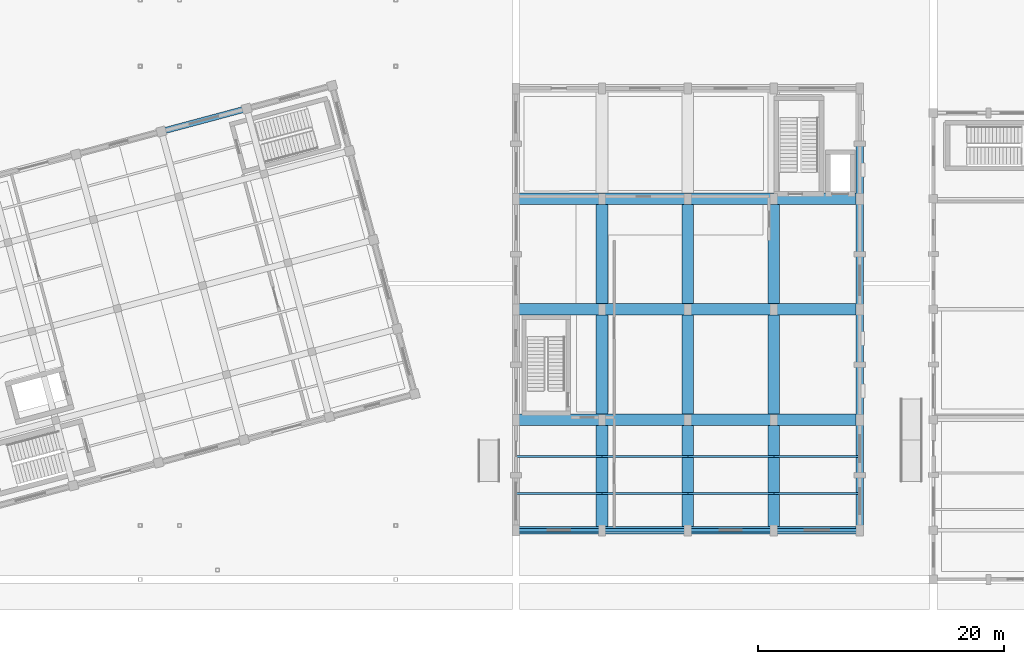
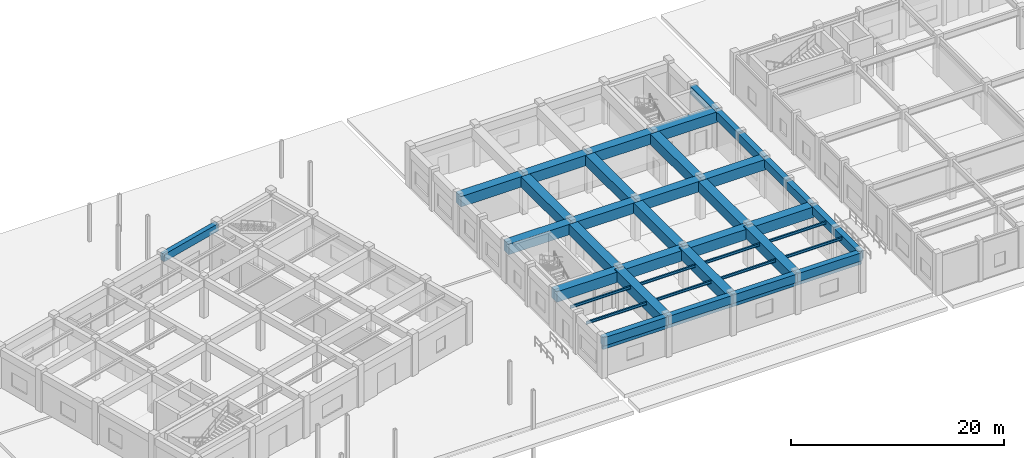
# One storey, part 25 of 47: 37 beams, 8 members.
"""IFC4 building model written with IfcOpenShell, lengths in metres."""

from ifc_helpers import new_model, si_unit, direction, frame, origin, origin_2d, place, context, subcontext, project, spatial, rectangle, i_section, extrude, material, material_profile, profile_set, type_object, element, save


model = new_model("IFC4")

# Units and contexts
model_context = context("Model", 3, precision=1e-05, world=origin(), true_north=direction((0.0, 1.0)))
body_context = subcontext(model_context, "Body", "Model", "MODEL_VIEW")
ifc_project = project(units=[si_unit("LENGTHUNIT", "METRE"), si_unit("AREAUNIT", "SQUARE_METRE"), si_unit("VOLUMEUNIT", "CUBIC_METRE"), si_unit("PLANEANGLEUNIT", "RADIAN"), si_unit("MASSUNIT", "GRAM", prefix="KILO")], contexts=[model_context])

# Site, building, storey
site_placement = place(None, origin())
site = spatial("IfcSite", under=ifc_project, at=site_placement, CompositionType="ELEMENT")
building_placement = place(site_placement, origin())
building = spatial("IfcBuilding", under=site, at=building_placement, Name="Ventoquebrada Cableway Terminal", CompositionType="ELEMENT")
storey_placement = place(building_placement, origin())
storey = spatial("IfcBuildingStorey", under=building, at=storey_placement, Name="L00", CompositionType="ELEMENT", Elevation=0.0)

# Beams
ifc_material_1 = material(Name="Concrete C40/50", Category="concrete")
ifc_material_profile_1 = material_profile(ifc_material_1, rectangle(XDim=0.5, YDim=0.85009765625, at=origin_2d()), Name="RC-BM-500X850")
ifc_profile_set_1 = profile_set([ifc_material_profile_1], Name="Concrete C40/50")
beam_type_1 = type_object("IfcBeamType", Name="BM-RC04", PredefinedType="BEAM", material=ifc_profile_set_1)
beam_placement = place(storey_placement, frame((66.113037109375, 100.489013671875, 4.02490234375), z_axis=(0.965934277216, 0.258787503754, 0.0), x_axis=(-0.258787503754, 0.965934277216, 0.0)))
element("IfcBeam", 1, at=beam_placement, inside=storey, type_object=beam_type_1, Name="Splayed station girder FBM-1001", PredefinedType="BEAM", context=body_context, shape_type="SweptSolid", body=[
    extrude(rectangle(XDim=0.5, YDim=0.85009765625, at=origin_2d()), origin(), (0.0, 0.0, 1.0), 7.19921875),
])
ifc_material_profile_2 = material_profile(ifc_material_1, rectangle(XDim=0.60009765625, YDim=0.949951171875, at=origin_2d()), Name="RC-BM-600X950")
ifc_profile_set_2 = profile_set([ifc_material_profile_2], Name="Concrete C40/50")
beam_type_2 = type_object("IfcBeamType", Name="BM-RC05", PredefinedType="BEAM", material=ifc_profile_set_2)
for number, where, z_axis, x_axis, name in (
    (2, (95.0, 68.0, 4.054931640625), (1.0, 0.0, 0.0), (0.0, 1.0, 0.0), "Perimeter spandrel beam FBM-0579"),
    (3, (102.0, 68.0, 4.054931640625), (1.0, 0.0, 0.0), (0.0, 1.0, 0.0), "Perimeter spandrel beam FBM-0580"),
    (4, (109.0, 68.0, 4.054931640625), (1.0, 0.0, 0.0), (0.0, 1.0, 0.0), "Perimeter spandrel beam FBM-0581"),
    (5, (116.0, 68.0, 4.054931640625), (1.0, 0.0, 0.0), (0.0, 1.0, 0.0), "Perimeter spandrel beam FBM-0582"),
):
    element("IfcBeam", number, at=place(storey_placement, frame(where, z_axis=z_axis, x_axis=x_axis)), inside=storey, type_object=beam_type_2, Name=name, PredefinedType="BEAM", context=body_context, shape_type="SweptSolid", body=[
        extrude(rectangle(XDim=0.60009765625, YDim=0.949951171875, at=origin_2d()), origin(), (0.0, 0.0, 1.0), 7.0),
    ])
for number, where, z_axis, x_axis, name in (
    (6, (123.0, 68.0, 4.054931640625), (0.0, 1.0, 0.0), (-1.0, 0.0, 0.0), "Perimeter spandrel beam FBM-0619"),
    (7, (123.0, 72.5, 4.054931640625), (0.0, 1.0, 0.0), (-1.0, 0.0, 0.0), "Perimeter spandrel beam FBM-0620"),
    (8, (123.0, 77.0, 3.97509765625), (0.0, 1.0, 0.0), (-1.0, 0.0, 0.0), "Perimeter spandrel beam FBM-0621"),
    (9, (123.0, 81.5, 3.97509765625), (0.0, 1.0, 0.0), (-1.0, 0.0, 0.0), "Perimeter spandrel beam FBM-0622"),
    (10, (123.0, 86.0, 3.97509765625), (0.0, 1.0, 0.0), (-1.0, 0.0, 0.0), "Perimeter spandrel beam FBM-0623"),
    (11, (123.0, 90.5, 3.97509765625), (0.0, 1.0, 0.0), (-1.0, 0.0, 0.0), "Perimeter spandrel beam FBM-0624"),
    (12, (123.0, 95.0, 3.97509765625), (0.0, 1.0, 0.0), (-1.0, 0.0, 0.0), "Perimeter spandrel beam FBM-0625"),
):
    element("IfcBeam", number, at=place(storey_placement, frame(where, z_axis=z_axis, x_axis=x_axis)), inside=storey, type_object=beam_type_2, Name=name, PredefinedType="BEAM", context=body_context, shape_type="SweptSolid", body=[
        extrude(rectangle(XDim=0.60009765625, YDim=0.949951171875, at=origin_2d()), origin(), (0.0, 0.0, 1.0), 4.5),
    ])
ifc_material_profile_3 = material_profile(ifc_material_1, rectangle(XDim=0.949951171875, YDim=1.199951171875, at=origin_2d()), Name="RC-BM-950X1200")
ifc_profile_set_3 = profile_set([ifc_material_profile_3], Name="Concrete C40/50")
beam_type_3 = type_object("IfcBeamType", Name="BM-RC06", PredefinedType="BEAM", material=ifc_profile_set_3)
for number, where, z_axis, x_axis, name in (
    (13, (95.0, 77.0, 3.85009765625), (1.0, 0.0, 0.0), (0.0, 1.0, 0.0), "Primary frame girder FBM-0583"),
    (14, (102.0, 77.0, 3.85009765625), (1.0, 0.0, 0.0), (0.0, 1.0, 0.0), "Primary frame girder FBM-0584"),
    (15, (109.0, 77.0, 3.85009765625), (1.0, 0.0, 0.0), (0.0, 1.0, 0.0), "Primary frame girder FBM-0585"),
    (16, (116.0, 77.0, 3.85009765625), (1.0, 0.0, 0.0), (0.0, 1.0, 0.0), "Primary frame girder FBM-0586"),
    (17, (95.0, 86.0, 3.85009765625), (1.0, 0.0, 0.0), (0.0, 1.0, 0.0), "Primary frame girder FBM-0587"),
    (18, (102.0, 86.0, 3.85009765625), (1.0, 0.0, 0.0), (0.0, 1.0, 0.0), "Primary frame girder FBM-0588"),
    (19, (109.0, 86.0, 3.85009765625), (1.0, 0.0, 0.0), (0.0, 1.0, 0.0), "Primary frame girder FBM-0589"),
    (20, (116.0, 86.0, 3.85009765625), (1.0, 0.0, 0.0), (0.0, 1.0, 0.0), "Primary frame girder FBM-0590"),
    (21, (95.0, 95.0, 3.85009765625), (1.0, 0.0, 0.0), (0.0, 1.0, 0.0), "Primary frame girder FBM-0591"),
    (22, (102.0, 95.0, 3.85009765625), (1.0, 0.0, 0.0), (0.0, 1.0, 0.0), "Primary frame girder FBM-0592"),
    (23, (109.0, 95.0, 3.85009765625), (1.0, 0.0, 0.0), (0.0, 1.0, 0.0), "Primary frame girder FBM-0593"),
    (24, (116.0, 95.0, 3.85009765625), (1.0, 0.0, 0.0), (0.0, 1.0, 0.0), "Primary frame girder FBM-0594"),
):
    element("IfcBeam", number, at=place(storey_placement, frame(where, z_axis=z_axis, x_axis=x_axis)), inside=storey, type_object=beam_type_3, Name=name, PredefinedType="BEAM", context=body_context, shape_type="SweptSolid", body=[
        extrude(rectangle(XDim=0.949951171875, YDim=1.199951171875, at=origin_2d()), origin(), (0.0, 0.0, 1.0), 7.0),
    ])
for number, where, z_axis, x_axis, name in (
    (25, (102.0, 68.0, 3.929931640625), (0.0, 1.0, 0.0), (-1.0, 0.0, 0.0), "Primary frame girder FBM-0607"),
    (26, (102.0, 77.0, 3.85009765625), (0.0, 1.0, 0.0), (-1.0, 0.0, 0.0), "Primary frame girder FBM-0608"),
    (27, (102.0, 86.0, 3.85009765625), (0.0, 1.0, 0.0), (-1.0, 0.0, 0.0), "Primary frame girder FBM-0609"),
    (28, (109.0, 68.0, 3.929931640625), (0.0, 1.0, 0.0), (-1.0, 0.0, 0.0), "Primary frame girder FBM-0611"),
    (29, (109.0, 77.0, 3.85009765625), (0.0, 1.0, 0.0), (-1.0, 0.0, 0.0), "Primary frame girder FBM-0612"),
    (30, (109.0, 86.0, 3.85009765625), (0.0, 1.0, 0.0), (-1.0, 0.0, 0.0), "Primary frame girder FBM-0613"),
    (31, (116.0, 68.0, 3.929931640625), (0.0, 1.0, 0.0), (-1.0, 0.0, 0.0), "Primary frame girder FBM-0615"),
    (32, (116.0, 77.0, 3.85009765625), (0.0, 1.0, 0.0), (-1.0, 0.0, 0.0), "Primary frame girder FBM-0616"),
    (33, (116.0, 86.0, 3.85009765625), (0.0, 1.0, 0.0), (-1.0, 0.0, 0.0), "Primary frame girder FBM-0617"),
):
    element("IfcBeam", number, at=place(storey_placement, frame(where, z_axis=z_axis, x_axis=x_axis)), inside=storey, type_object=beam_type_3, Name=name, PredefinedType="BEAM", context=body_context, shape_type="SweptSolid", body=[
        extrude(rectangle(XDim=0.949951171875, YDim=1.199951171875, at=origin_2d()), origin(), (0.0, 0.0, 1.0), 9.0),
    ])
ifc_material_profile_4 = material_profile(ifc_material_1, rectangle(XDim=0.300048828125, YDim=0.449951171875, at=origin_2d()), Name="RC-LNT-300X450")
ifc_profile_set_4 = profile_set([ifc_material_profile_4], Name="Concrete C40/50")
beam_type_4 = type_object("IfcBeamType", Name="LN-RC01", PredefinedType="LINTEL", material=ifc_profile_set_4)
for number, where, z_axis, x_axis, name in (
    (34, (95.0, 68.0, 3.324951171875), (1.0, 0.0, 0.0), (0.0, 1.0, 0.0), "Portal opening lintel beam LN-003"),
    (35, (102.0, 68.0, 3.324951171875), (1.0, 0.0, 0.0), (0.0, 1.0, 0.0), "Portal opening lintel beam LN-004"),
    (36, (109.0, 68.0, 3.324951171875), (1.0, 0.0, 0.0), (0.0, 1.0, 0.0), "Portal opening lintel beam LN-005"),
    (37, (116.0, 68.0, 3.324951171875), (1.0, 0.0, 0.0), (0.0, 1.0, 0.0), "Portal opening lintel beam LN-006"),
):
    element("IfcBeam", number, at=place(storey_placement, frame(where, z_axis=z_axis, x_axis=x_axis)), inside=storey, type_object=beam_type_4, Name=name, PredefinedType="LINTEL", context=body_context, shape_type="SweptSolid", body=[
        extrude(rectangle(XDim=0.300048828125, YDim=0.449951171875, at=origin_2d()), origin(), (0.0, 0.0, 1.0), 7.0),
    ])

# Members
ifc_material_2 = material(Name="Steel ASTM A992 Grade 50", Category="steel")
ifc_material_profile_5 = material_profile(ifc_material_2, i_section(OverallWidth=0.1650390625, OverallDepth=0.31005859375, WebThickness=0.005859375, FlangeThickness=0.009765625, at=origin_2d()), Name="W12X26")
ifc_profile_set_5 = profile_set([ifc_material_profile_5], Name="Steel ASTM A992 Grade 50")
member_type = type_object("IfcMemberType", Name="PUR-RF05", PredefinedType="PURLIN", material=ifc_profile_set_5)
for number, where, z_axis, x_axis, name in (
    (38, (95.0, 71.0, 4.260009765625), (1.0, 0.0, 0.0), (0.0, 1.0, 0.0), "Roof support purlin RPR-0487"),
    (39, (102.0, 71.0, 4.260009765625), (1.0, 0.0, 0.0), (0.0, 1.0, 0.0), "Roof support purlin RPR-0488"),
    (40, (109.0, 71.0, 4.260009765625), (1.0, 0.0, 0.0), (0.0, 1.0, 0.0), "Roof support purlin RPR-0489"),
    (41, (116.0, 71.0, 4.260009765625), (1.0, 0.0, 0.0), (0.0, 1.0, 0.0), "Roof support purlin RPR-0490"),
    (42, (95.0, 74.0, 4.260009765625), (1.0, 0.0, 0.0), (0.0, 1.0, 0.0), "Roof support purlin RPR-0491"),
    (43, (102.0, 74.0, 4.260009765625), (1.0, 0.0, 0.0), (0.0, 1.0, 0.0), "Roof support purlin RPR-0492"),
    (44, (109.0, 74.0, 4.260009765625), (1.0, 0.0, 0.0), (0.0, 1.0, 0.0), "Roof support purlin RPR-0493"),
    (45, (116.0, 74.0, 4.260009765625), (1.0, 0.0, 0.0), (0.0, 1.0, 0.0), "Roof support purlin RPR-0494"),
):
    element("IfcMember", number, at=place(storey_placement, frame(where, z_axis=z_axis, x_axis=x_axis)), inside=storey, type_object=member_type, Name=name, PredefinedType="PURLIN", context=body_context, shape_type="SweptSolid", body=[
        extrude(i_section(OverallWidth=0.1650390625, OverallDepth=0.31005859375, WebThickness=0.005859375, FlangeThickness=0.009765625, at=origin_2d()), origin(), (0.0, 0.0, 1.0), 7.0),
    ])

save(model, "model.ifc")
